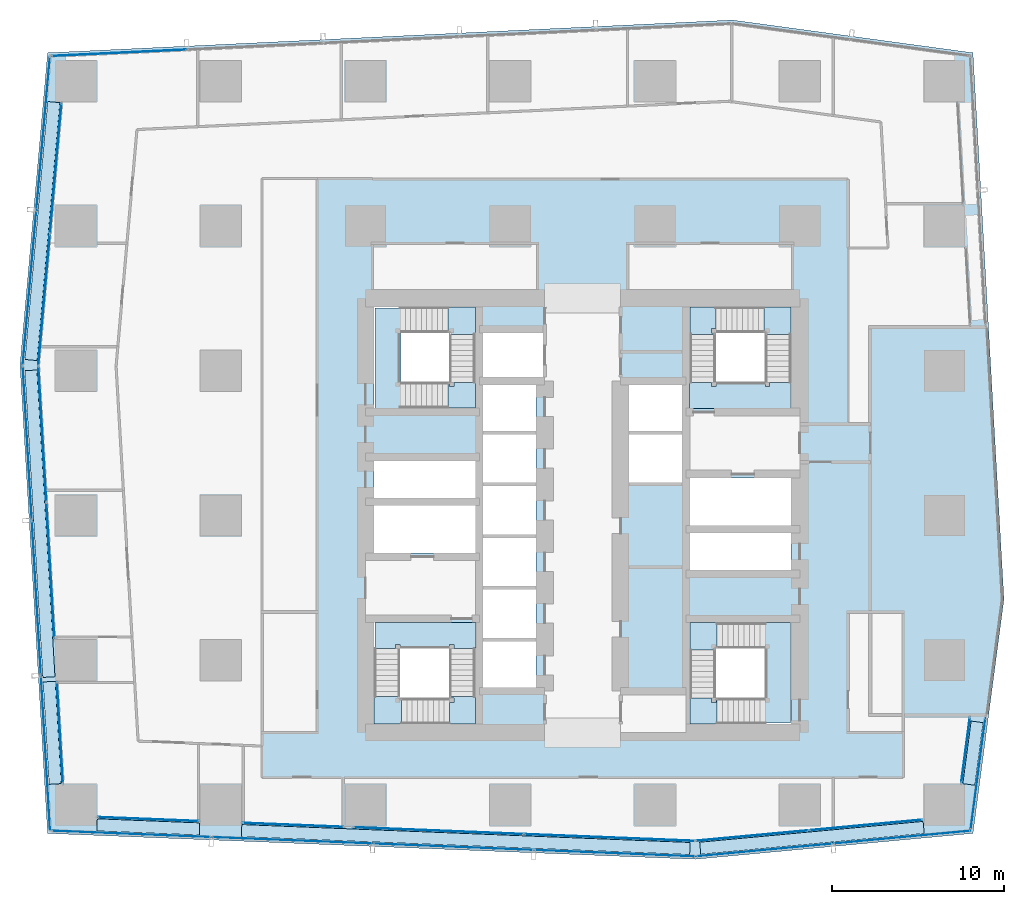
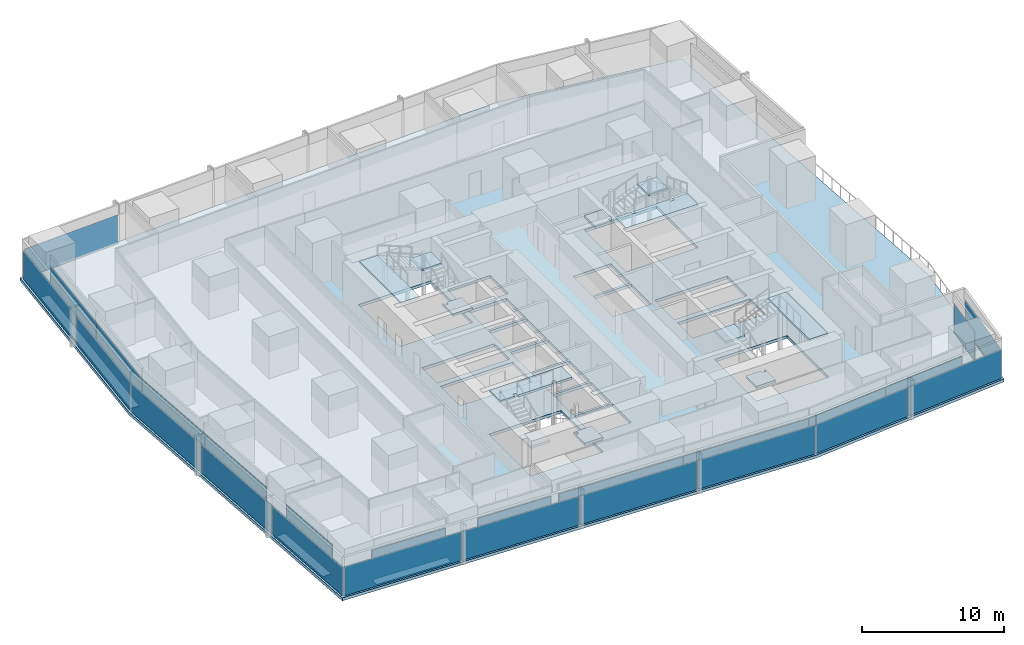
# One storey, part 21 of 34: 32 plates, 13 slabs, 18 elements without a shape of their own.
"""IFC4 building model written with IfcOpenShell, lengths in metres."""

from ifc_helpers import new_model, si_unit, direction, frame, origin, origin_2d, place, context, subcontext, project, spatial, polyline, rectangle, outline, extrude, material, layer, layer_set, type_object, element, aggregate, save


model = new_model("IFC4")

# Units and contexts
model_context = context("Model", 3, precision=1e-05, world=origin(), true_north=direction((0.0, 1.0)))
body_context = subcontext(model_context, "Body", "Model", "MODEL_VIEW")
ifc_project = project(units=[si_unit("LENGTHUNIT", "METRE"), si_unit("AREAUNIT", "SQUARE_METRE"), si_unit("VOLUMEUNIT", "CUBIC_METRE"), si_unit("PLANEANGLEUNIT", "RADIAN"), si_unit("MASSUNIT", "GRAM", prefix="KILO")], contexts=[model_context])

# Site, building, storey
site_placement = place(None, origin())
site = spatial("IfcSite", under=ifc_project, at=site_placement, CompositionType="ELEMENT")
building_placement = place(site_placement, origin())
building = spatial("IfcBuilding", under=site, at=building_placement, Name="Rekha Terrace Tower", CompositionType="ELEMENT")
storey_placement = place(building_placement, frame((0.0, 0.0, 236.449951171875)))
storey = spatial("IfcBuildingStorey", under=building, at=storey_placement, Name="L60", CompositionType="ELEMENT", Elevation=236.449951171875)

# Curtain wall, plate
ifc_material_1 = material(Name="Aluminium framing", Category="aluminium")
curtain_wall_type_1 = type_object("IfcCurtainWallType", Name="CW1 double skin inner glazing", PredefinedType="USERDEFINED", material=ifc_material_1)
curtain_wall_1_placement = place(storey_placement, origin())
curtain_wall_1 = element("IfcCurtainWall", 1, at=curtain_wall_1_placement, inside=storey, type_object=curtain_wall_type_1, Name="CW1 double skin inner glazing", ObjectType="DOUBLE SKIN INNER GLAZING", PredefinedType="USERDEFINED")
ifc_material_2 = material(Name="Double-glazed low-e unit 32", Category="glass")
ifc_layer_1 = layer(ifc_material_2, 0.031982421875)
ifc_layer_set_1 = layer_set([ifc_layer_1], Name="Double-glazed low-e unit 32")
plate_type_1 = type_object("IfcPlateType", Name="CW1 jumbo vision panel, double-glazed low-e unit 32", PredefinedType="CURTAIN_PANEL", material=ifc_layer_set_1)
plate_1_placement = place(storey_placement, frame((12.60009765625, 15.977294921875, 0.0), z_axis=(0.0, 0.0, 1.0), x_axis=(0.999204775798, -0.039872497078, 0.0)))
plate_1 = element("IfcPlate", 2, at=plate_1_placement, type_object=plate_type_1, Name="CW1 panel 1.1", PredefinedType="CURTAIN_PANEL", context=body_context, shape_type="SweptSolid", body=[
    extrude(rectangle(XDim=5.8271484375, YDim=0.031982421875, at=origin_2d()), origin(), (0.0, 0.0, 1.0), 2.5),
])
aggregate(curtain_wall_1, [plate_1])

curtain_wall_2_placement = place(storey_placement, origin())
curtain_wall_2 = element("IfcCurtainWall", 3, at=curtain_wall_2_placement, inside=storey, type_object=curtain_wall_type_1, Name="CW1 double skin inner glazing", ObjectType="DOUBLE SKIN INNER GLAZING", PredefinedType="USERDEFINED")
plate_2_placement = place(storey_placement, frame((21.0, 15.64208984375, 0.0), z_axis=(0.0, 0.0, 1.0), x_axis=(0.999204775798, -0.039872497078, 0.0)))
plate_2 = element("IfcPlate", 4, at=plate_2_placement, type_object=plate_type_1, Name="CW1 panel 1.1", PredefinedType="CURTAIN_PANEL", context=body_context, shape_type="SweptSolid", body=[
    extrude(rectangle(XDim=5.8271484375, YDim=0.031982421875, at=origin_2d()), origin(), (0.0, 0.0, 1.0), 2.5),
])
aggregate(curtain_wall_2, [plate_2])

# Curtain wall, plates
curtain_wall_3_placement = place(storey_placement, origin())
curtain_wall_3 = element("IfcCurtainWall", 5, at=curtain_wall_3_placement, inside=storey, type_object=curtain_wall_type_1, Name="CW1 double skin inner glazing", ObjectType="DOUBLE SKIN INNER GLAZING", PredefinedType="USERDEFINED")
plate_3_placement = place(storey_placement, frame((29.4365234375, 15.3056640625, 0.0), z_axis=(0.0, 0.0, 1.0), x_axis=(0.999204775799, -0.039872497044, 0.0)))
plate_3 = element("IfcPlate", 6, at=plate_3_placement, type_object=plate_type_1, Name="CW1 panel 1.1", PredefinedType="CURTAIN_PANEL", context=body_context, shape_type="SweptSolid", body=[
    extrude(rectangle(XDim=9.838134765625, YDim=0.031982421875, at=origin_2d()), origin(), (0.0, 0.0, 1.0), 2.5),
])
plate_4_placement = place(storey_placement, frame((39.3642578125, 14.909423828125, 0.0), z_axis=(0.0, 0.0, 1.0), x_axis=(0.999204775799, -0.039872497044, 0.0)))
plate_4 = element("IfcPlate", 7, at=plate_4_placement, type_object=plate_type_1, Name="CW1 panel 2.1", PredefinedType="CURTAIN_PANEL", context=body_context, shape_type="SweptSolid", body=[
    extrude(rectangle(XDim=9.903076171875, YDim=0.031982421875, at=origin_2d()), origin(), (0.0, 0.0, 1.0), 2.5),
])
aggregate(curtain_wall_3, [plate_3, plate_4])

curtain_wall_4_placement = place(storey_placement, origin())
curtain_wall_4 = element("IfcCurtainWall", 8, at=curtain_wall_4_placement, inside=storey, type_object=curtain_wall_type_1, Name="CW1 double skin inner glazing", ObjectType="DOUBLE SKIN INNER GLAZING", PredefinedType="USERDEFINED")
plate_5_placement = place(storey_placement, frame((47.642822265625, 15.022216796875, 0.0), z_axis=(0.0, 0.0, 1.0), x_axis=(0.995693258744, 0.092708869546, 0.0)))
plate_5 = element("IfcPlate", 9, at=plate_5_placement, type_object=plate_type_1, Name="CW1 panel 1.1", PredefinedType="CURTAIN_PANEL", context=body_context, shape_type="SweptSolid", body=[
    extrude(rectangle(XDim=6.560791015625, YDim=0.031982421875, at=origin_2d()), origin(), (0.0, 0.0, 1.0), 2.5),
])
plate_6_placement = place(storey_placement, frame((54.240234375, 15.636474609375, 0.0), z_axis=(0.0, 0.0, 1.0), x_axis=(0.995693258744, 0.092708869546, 0.0)))
plate_6 = element("IfcPlate", 10, at=plate_6_placement, type_object=plate_type_1, Name="CW1 panel 2.1", PredefinedType="CURTAIN_PANEL", context=body_context, shape_type="SweptSolid", body=[
    extrude(rectangle(XDim=6.560791015625, YDim=0.031982421875, at=origin_2d()), origin(), (0.0, 0.0, 1.0), 2.5),
])
aggregate(curtain_wall_4, [plate_5, plate_6])

# Curtain wall, plate
curtain_wall_5_placement = place(storey_placement, origin())
curtain_wall_5 = element("IfcCurtainWall", 11, at=curtain_wall_5_placement, inside=storey, type_object=curtain_wall_type_1, Name="CW1 double skin inner glazing", ObjectType="DOUBLE SKIN INNER GLAZING", PredefinedType="USERDEFINED")
plate_7_placement = place(storey_placement, frame((60.02001953125, 19.97705078125, 0.0), z_axis=(0.0, 0.0, 1.0), x_axis=(0.131303603041, 0.991342203191, 0.0)))
plate_7 = element("IfcPlate", 12, at=plate_7_placement, type_object=plate_type_1, Name="CW1 panel 1.1", PredefinedType="CURTAIN_PANEL", context=body_context, shape_type="SweptSolid", body=[
    extrude(rectangle(XDim=3.793701171875, YDim=0.031982421875, at=origin_2d()), origin(), (0.0, 0.0, 1.0), 2.5),
])
aggregate(curtain_wall_5, [plate_7])

# Curtain wall, plates
curtain_wall_6_placement = place(storey_placement, origin())
curtain_wall_6 = element("IfcCurtainWall", 13, at=curtain_wall_6_placement, inside=storey, type_object=curtain_wall_type_1, Name="CW1 double skin inner glazing", ObjectType="DOUBLE SKIN INNER GLAZING", PredefinedType="USERDEFINED")
plate_8_placement = place(storey_placement, frame((7.2216796875, 53.7412109375, 0.0), z_axis=(0.0, 0.0, 1.0), x_axis=(-0.087957985471, -0.996124185427, 0.0)))
plate_8 = element("IfcPlate", 14, at=plate_8_placement, type_object=plate_type_1, Name="CW1 panel 1.1", PredefinedType="CURTAIN_PANEL", context=body_context, shape_type="SweptSolid", body=[
    extrude(rectangle(XDim=7.560791015625, YDim=0.031982421875, at=origin_2d()), origin(), (0.0, 0.0, 1.0), 2.5),
])
plate_9_placement = place(storey_placement, frame((6.548095703125, 46.112548828125, 0.0), z_axis=(0.0, 0.0, 1.0), x_axis=(-0.087957985471, -0.996124185427, 0.0)))
plate_9 = element("IfcPlate", 15, at=plate_9_placement, type_object=plate_type_1, Name="CW1 panel 2.1", PredefinedType="CURTAIN_PANEL", context=body_context, shape_type="SweptSolid", body=[
    extrude(rectangle(XDim=7.625732421875, YDim=0.031982421875, at=origin_2d()), origin(), (0.0, 0.0, 1.0), 2.5),
])
aggregate(curtain_wall_6, [plate_8, plate_9])

curtain_wall_7_placement = place(storey_placement, origin())
curtain_wall_7 = element("IfcCurtainWall", 16, at=curtain_wall_7_placement, inside=storey, type_object=curtain_wall_type_1, Name="CW1 double skin inner glazing", ObjectType="DOUBLE SKIN INNER GLAZING", PredefinedType="USERDEFINED")
plate_10_placement = place(storey_placement, frame((6.44775390625, 38.323974609375, 0.0), z_axis=(0.0, 0.0, 1.0), x_axis=(0.058765082551, -0.998271839267, 0.0)))
plate_10 = element("IfcPlate", 17, at=plate_10_placement, type_object=plate_type_1, Name="CW1 panel 1.1", PredefinedType="CURTAIN_PANEL", context=body_context, shape_type="SweptSolid", body=[
    extrude(rectangle(XDim=7.864990234375, YDim=0.031982421875, at=origin_2d()), origin(), (0.0, 0.0, 1.0), 2.5),
])
plate_11_placement = place(storey_placement, frame((6.91357421875, 30.407470703125, 0.0), z_axis=(0.0, 0.0, 1.0), x_axis=(0.058765082551, -0.998271839267, 0.0)))
plate_11 = element("IfcPlate", 18, at=plate_11_placement, type_object=plate_type_1, Name="CW1 panel 2.1", PredefinedType="CURTAIN_PANEL", context=body_context, shape_type="SweptSolid", body=[
    extrude(rectangle(XDim=7.864990234375, YDim=0.031982421875, at=origin_2d()), origin(), (0.0, 0.0, 1.0), 2.5),
])
aggregate(curtain_wall_7, [plate_10, plate_11])

# Curtain wall, plate
curtain_wall_8_placement = place(storey_placement, origin())
curtain_wall_8 = element("IfcCurtainWall", 19, at=curtain_wall_8_placement, inside=storey, type_object=curtain_wall_type_1, Name="CW1 double skin inner glazing", ObjectType="DOUBLE SKIN INNER GLAZING", PredefinedType="USERDEFINED")
plate_12_placement = place(storey_placement, frame((7.467529296875, 21.0, 0.0), z_axis=(0.0, 0.0, 1.0), x_axis=(0.058765082499, -0.99827183927, 0.0)))
plate_12 = element("IfcPlate", 20, at=plate_12_placement, type_object=plate_type_1, Name="CW1 panel 1.1", PredefinedType="CURTAIN_PANEL", context=body_context, shape_type="SweptSolid", body=[
    extrude(rectangle(XDim=5.8291015625, YDim=0.031982421875, at=origin_2d()), origin(), (0.0, 0.0, 1.0), 2.5),
])
aggregate(curtain_wall_8, [plate_12])

# Curtain wall, plates
curtain_wall_type_2 = type_object("IfcCurtainWallType", Name="CW2 double skin outer glazing", PredefinedType="USERDEFINED", material=ifc_material_1)
curtain_wall_9_placement = place(storey_placement, origin())
curtain_wall_9 = element("IfcCurtainWall", 21, at=curtain_wall_9_placement, inside=storey, type_object=curtain_wall_type_2, Name="CW2 double skin outer glazing", ObjectType="DOUBLE SKIN OUTER GLAZING", PredefinedType="USERDEFINED")
ifc_material_3 = material(Name="Toughened single glazing 12", Category="glass")
ifc_layer_2 = layer(ifc_material_3, 0.011962890625)
ifc_layer_set_2 = layer_set([ifc_layer_2], Name="Toughened single glazing 12")
plate_type_2 = type_object("IfcPlateType", Name="CW2 jumbo vision panel, toughened single glazing 12", PredefinedType="CURTAIN_PANEL", material=ifc_layer_set_2)
plate_13_placement = place(storey_placement, frame((11.6005859375, 15.116455078125, 0.0), z_axis=(0.0, 0.0, 1.0), x_axis=(0.999204775799, -0.039872497044, 0.0)))
plate_13 = element("IfcPlate", 22, at=plate_13_placement, type_object=plate_type_2, Name="CW2 panel 1.1", PredefinedType="CURTAIN_PANEL", context=body_context, shape_type="SweptSolid", body=[
    extrude(rectangle(XDim=9.24609375, YDim=0.011962890625, at=origin_2d()), origin(), (0.0, 0.0, 1.0), 2.5),
])
plate_14_placement = place(storey_placement, frame((20.939208984375, 14.743896484375, 0.0), z_axis=(0.0, 0.0, 1.0), x_axis=(0.999204775799, -0.039872497044, 0.0)))
plate_14 = element("IfcPlate", 23, at=plate_14_placement, type_object=plate_type_2, Name="CW2 panel 2.1", PredefinedType="CURTAIN_PANEL", context=body_context, shape_type="SweptSolid", body=[
    extrude(rectangle(XDim=9.2861328125, YDim=0.011962890625, at=origin_2d()), origin(), (0.0, 0.0, 1.0), 2.5),
])
plate_15_placement = place(storey_placement, frame((30.2978515625, 14.370361328125, 0.0), z_axis=(0.0, 0.0, 1.0), x_axis=(0.999204775799, -0.039872497044, 0.0)))
plate_15 = element("IfcPlate", 24, at=plate_15_placement, type_object=plate_type_2, Name="CW2 panel 3.1", PredefinedType="CURTAIN_PANEL", context=body_context, shape_type="SweptSolid", body=[
    extrude(rectangle(XDim=9.2861328125, YDim=0.011962890625, at=origin_2d()), origin(), (0.0, 0.0, 1.0), 2.5),
])
plate_16_placement = place(storey_placement, frame((39.676513671875, 13.996337890625, 0.0), z_axis=(0.0, 0.0, 1.0), x_axis=(0.999204775799, -0.039872497044, 0.0)))
plate_16 = element("IfcPlate", 25, at=plate_16_placement, type_object=plate_type_2, Name="CW2 panel 4.1", PredefinedType="CURTAIN_PANEL", context=body_context, shape_type="SweptSolid", body=[
    extrude(rectangle(XDim=9.326171875, YDim=0.011962890625, at=origin_2d()), origin(), (0.0, 0.0, 1.0), 2.5),
])
aggregate(curtain_wall_9, [plate_13, plate_14, plate_15, plate_16])

curtain_wall_10_placement = place(storey_placement, origin())
curtain_wall_10 = element("IfcCurtainWall", 26, at=curtain_wall_10_placement, inside=storey, type_object=curtain_wall_type_2, Name="CW2 double skin outer glazing", ObjectType="DOUBLE SKIN OUTER GLAZING", PredefinedType="USERDEFINED")
plate_17_placement = place(storey_placement, frame((48.348876953125, 14.183837890625, 0.0), z_axis=(0.0, 0.0, 1.0), x_axis=(0.995693258747, 0.092708869512, 0.0)))
plate_17 = element("IfcPlate", 27, at=plate_17_placement, type_object=plate_type_2, Name="CW2 panel 1.1", PredefinedType="CURTAIN_PANEL", context=body_context, shape_type="SweptSolid", body=[
    extrude(rectangle(XDim=7.900634765625, YDim=0.011962890625, at=origin_2d()), origin(), (0.0, 0.0, 1.0), 2.5),
])
plate_18_placement = place(storey_placement, frame((56.3349609375, 14.927490234375, 0.0), z_axis=(0.0, 0.0, 1.0), x_axis=(0.995693258747, 0.092708869512, 0.0)))
plate_18 = element("IfcPlate", 28, at=plate_18_placement, type_object=plate_type_2, Name="CW2 panel 2.1", PredefinedType="CURTAIN_PANEL", context=body_context, shape_type="SweptSolid", body=[
    extrude(rectangle(XDim=7.980712890625, YDim=0.011962890625, at=origin_2d()), origin(), (0.0, 0.0, 1.0), 2.5),
])
aggregate(curtain_wall_10, [plate_17, plate_18])

# Curtain wall, plate
curtain_wall_11_placement = place(storey_placement, origin())
curtain_wall_11 = element("IfcCurtainWall", 29, at=curtain_wall_11_placement, inside=storey, type_object=curtain_wall_type_2, Name="CW2 double skin outer glazing", ObjectType="DOUBLE SKIN OUTER GLAZING", PredefinedType="USERDEFINED")
plate_19_placement = place(storey_placement, frame((60.746826171875, 18.60986328125, 0.0), z_axis=(0.0, 0.0, 1.0), x_axis=(0.13130360311, 0.991342203182, 0.0)))
plate_19 = element("IfcPlate", 30, at=plate_19_placement, type_object=plate_type_2, Name="CW2 panel 1.1", PredefinedType="CURTAIN_PANEL", context=body_context, shape_type="SweptSolid", body=[
    extrude(rectangle(XDim=6.5224609375, YDim=0.011962890625, at=origin_2d()), origin(), (0.0, 0.0, 1.0), 2.5),
])
aggregate(curtain_wall_11, [plate_19])

# Curtain wall, plates
curtain_wall_12_placement = place(storey_placement, origin())
curtain_wall_12 = element("IfcCurtainWall", 31, at=curtain_wall_12_placement, inside=storey, type_object=curtain_wall_type_2, Name="CW2 double skin outer glazing", ObjectType="DOUBLE SKIN OUTER GLAZING", PredefinedType="USERDEFINED")
plate_20_placement = place(storey_placement, frame((6.498779296875, 55.78466796875, 0.0), z_axis=(0.0, 0.0, 1.0), x_axis=(-0.087957985453, -0.996124185428, 0.0)))
plate_20 = element("IfcPlate", 32, at=plate_20_placement, type_object=plate_type_2, Name="CW2 panel 1.1", PredefinedType="CURTAIN_PANEL", context=body_context, shape_type="SweptSolid", body=[
    extrude(rectangle(XDim=8.899658203125, YDim=0.011962890625, at=origin_2d()), origin(), (0.0, 0.0, 1.0), 2.5),
])
plate_21_placement = place(storey_placement, frame((5.705322265625, 46.800048828125, 0.0), z_axis=(0.0, 0.0, 1.0), x_axis=(-0.087957985453, -0.996124185428, 0.0)))
plate_21 = element("IfcPlate", 33, at=plate_21_placement, type_object=plate_type_2, Name="CW2 panel 2.1", PredefinedType="CURTAIN_PANEL", context=body_context, shape_type="SweptSolid", body=[
    extrude(rectangle(XDim=8.9794921875, YDim=0.011962890625, at=origin_2d()), origin(), (0.0, 0.0, 1.0), 2.5),
])
aggregate(curtain_wall_12, [plate_20, plate_21])

curtain_wall_13_placement = place(storey_placement, origin())
curtain_wall_13 = element("IfcCurtainWall", 34, at=curtain_wall_13_placement, inside=storey, type_object=curtain_wall_type_2, Name="CW2 double skin outer glazing", ObjectType="DOUBLE SKIN OUTER GLAZING", PredefinedType="USERDEFINED")
plate_22_placement = place(storey_placement, frame((5.57666015625, 37.8037109375, 0.0), z_axis=(0.0, 0.0, 1.0), x_axis=(0.058765082499, -0.99827183927, 0.0)))
plate_22 = element("IfcPlate", 35, at=plate_22_placement, type_object=plate_type_2, Name="CW2 panel 1.1", PredefinedType="CURTAIN_PANEL", context=body_context, shape_type="SweptSolid", body=[
    extrude(rectangle(XDim=8.903564453125, YDim=0.011962890625, at=origin_2d()), origin(), (0.0, 0.0, 1.0), 2.5),
])
plate_23_placement = place(storey_placement, frame((6.105712890625, 28.81591796875, 0.0), z_axis=(0.0, 0.0, 1.0), x_axis=(0.058765082499, -0.99827183927, 0.0)))
plate_23 = element("IfcPlate", 36, at=plate_23_placement, type_object=plate_type_2, Name="CW2 panel 2.1", PredefinedType="CURTAIN_PANEL", context=body_context, shape_type="SweptSolid", body=[
    extrude(rectangle(XDim=8.943359375, YDim=0.011962890625, at=origin_2d()), origin(), (0.0, 0.0, 1.0), 2.5),
])
plate_24_placement = place(storey_placement, frame((6.63720703125, 19.7880859375, 0.0), z_axis=(0.0, 0.0, 1.0), x_axis=(0.058765082499, -0.99827183927, 0.0)))
plate_24 = element("IfcPlate", 37, at=plate_24_placement, type_object=plate_type_2, Name="CW2 panel 3.1", PredefinedType="CURTAIN_PANEL", context=body_context, shape_type="SweptSolid", body=[
    extrude(rectangle(XDim=8.9833984375, YDim=0.011962890625, at=origin_2d()), origin(), (0.0, 0.0, 1.0), 2.5),
])
aggregate(curtain_wall_13, [plate_22, plate_23, plate_24])

# Curtain wall, plate
curtain_wall_type_3 = type_object("IfcCurtainWallType", Name="CW3 north unitised glazing", PredefinedType="USERDEFINED", material=ifc_material_1)
curtain_wall_14_placement = place(storey_placement, origin())
curtain_wall_14 = element("IfcCurtainWall", 38, at=curtain_wall_14_placement, inside=storey, type_object=curtain_wall_type_3, Name="CW3 unitised curtain wall", ObjectType="UNITISED CURTAIN WALL", PredefinedType="USERDEFINED")
ifc_material_4 = material(Name="Double-glazed unit 28", Category="glass")
ifc_layer_3 = layer(ifc_material_4, 0.028076171875)
ifc_layer_set_3 = layer_set([ifc_layer_3], Name="Double-glazed unit 28")
plate_type_3 = type_object("IfcPlateType", Name="CW3 jumbo vision panel, double-glazed unit 28", PredefinedType="CURTAIN_PANEL", material=ifc_layer_set_3)
plate_25_placement = place(storey_placement, frame((10.906005859375, 60.448486328125, 0.0), z_axis=(0.0, 0.0, 1.0), x_axis=(-0.998858906204, -0.047758616983, 0.0)))
plate_25 = element("IfcPlate", 39, at=plate_25_placement, type_object=plate_type_3, Name="CW3 panel 5.1", PredefinedType="CURTAIN_PANEL", context=body_context, shape_type="SweptSolid", body=[
    extrude(rectangle(XDim=7.81298828125, YDim=0.028076171875, at=origin_2d()), origin(), (0.0, 0.0, 1.0), 2.5),
])
aggregate(curtain_wall_14, [plate_25])

# Plates
ifc_material_5 = material(Name="Galvanised steel open grating", Category="steel")
ifc_layer_4 = layer(ifc_material_5, 0.050048828125)
ifc_layer_set_4 = layer_set([ifc_layer_4], Name="Galvanised steel open grating")
plate_type_4 = type_object("IfcPlateType", Name="GT1 cavity walkway grating 50", PredefinedType="USERDEFINED", material=ifc_layer_set_4)
plate_26_placement = place(storey_placement, frame((12.593505859375, 15.52734375, 0.0), z_axis=(0.0, 0.0, 1.0), x_axis=(0.999204775799, -0.039872497044, 0.0)))
element("IfcPlate", 40, at=plate_26_placement, inside=storey, type_object=plate_type_4, Name="Cavity walkway grating", ObjectType="CAVITY WALKWAY GRATING", PredefinedType="USERDEFINED", context=body_context, shape_type="SweptSolid", body=[
    extrude(rectangle(XDim=5.947998046875, YDim=0.705078125, at=origin_2d()), origin(), (0.0, 0.0, 1.0), 0.050048828125),
])
plate_27_placement = place(storey_placement, frame((31.016357421875, 14.792236328125, 0.0), z_axis=(0.0, 0.0, 1.0), x_axis=(0.999204775799, -0.039872497044, 0.0)))
element("IfcPlate", 41, at=plate_27_placement, inside=storey, type_object=plate_type_4, Name="Cavity walkway grating", ObjectType="CAVITY WALKWAY GRATING", PredefinedType="USERDEFINED", context=body_context, shape_type="SweptSolid", body=[
    extrude(rectangle(XDim=26.036376953125, YDim=0.705078125, at=origin_2d()), origin(), (0.0, 0.0, 1.0), 0.050048828125),
])
plate_28_placement = place(storey_placement, frame((51.10595703125, 14.892578125, 0.0), z_axis=(0.0, 0.0, 1.0), x_axis=(0.995693258745, 0.092708869529, 0.0)))
element("IfcPlate", 42, at=plate_28_placement, inside=storey, type_object=plate_type_4, Name="Cavity walkway grating", ObjectType="CAVITY WALKWAY GRATING", PredefinedType="USERDEFINED", context=body_context, shape_type="SweptSolid", body=[
    extrude(rectangle(XDim=13.023193359375, YDim=0.705078125, at=origin_2d()), origin(), (0.0, 0.0, 1.0), 0.050048828125),
])
plate_29_placement = place(storey_placement, frame((60.45166015625, 19.808349609375, 0.0), z_axis=(0.0, 0.0, 1.0), x_axis=(0.131303603075, 0.991342203187, 0.0)))
element("IfcPlate", 43, at=plate_29_placement, inside=storey, type_object=plate_type_4, Name="Cavity walkway grating", ObjectType="CAVITY WALKWAY GRATING", PredefinedType="USERDEFINED", context=body_context, shape_type="SweptSolid", body=[
    extrude(rectangle(XDim=3.6640625, YDim=0.705078125, at=origin_2d()), origin(), (0.0, 0.0, 1.0), 0.050048828125),
])
plate_30_placement = place(storey_placement, frame((6.44873046875, 50.10400390625, 0.0), z_axis=(0.0, 0.0, 1.0), x_axis=(-0.087957985471, -0.996124185427, 0.0)))
element("IfcPlate", 44, at=plate_30_placement, inside=storey, type_object=plate_type_4, Name="Cavity walkway grating", ObjectType="CAVITY WALKWAY GRATING", PredefinedType="USERDEFINED", context=body_context, shape_type="SweptSolid", body=[
    extrude(rectangle(XDim=15.0263671875, YDim=0.705078125, at=origin_2d()), origin(), (0.0, 0.0, 1.0), 0.050048828125),
])
plate_31_placement = place(storey_placement, frame((6.302978515625, 33.1220703125, 0.0), z_axis=(0.0, 0.0, 1.0), x_axis=(0.058765082516, -0.998271839269, 0.0)))
element("IfcPlate", 45, at=plate_31_placement, inside=storey, type_object=plate_type_4, Name="Cavity walkway grating", ObjectType="CAVITY WALKWAY GRATING", PredefinedType="USERDEFINED", context=body_context, shape_type="SweptSolid", body=[
    extrude(rectangle(XDim=17.82958984375, YDim=0.705078125, at=origin_2d()), origin(), (0.0, 0.0, 1.0), 0.050048828125),
])
plate_32_placement = place(storey_placement, frame((7.017333984375, 20.98876953125, 0.0), z_axis=(0.0, 0.0, 1.0), x_axis=(0.058765082516, -0.998271839269, 0.0)))
element("IfcPlate", 46, at=plate_32_placement, inside=storey, type_object=plate_type_4, Name="Cavity walkway grating", ObjectType="CAVITY WALKWAY GRATING", PredefinedType="USERDEFINED", context=body_context, shape_type="SweptSolid", body=[
    extrude(rectangle(XDim=5.948974609375, YDim=0.705078125, at=origin_2d()), origin(), (0.0, 0.0, 1.0), 0.050048828125),
])

# Stair, slabs
ifc_material_6 = material(Name="Concrete M40", Category="concrete")
stair_type = type_object("IfcStairType", Name="ST30 stair, 30 risers of 125, going 310, 1500 wide flights, 3 flights", PredefinedType="HALF_TURN_STAIR", material=ifc_material_6)
stair_1_placement = place(storey_placement, origin())
stair_1 = element("IfcStair", 47, at=stair_1_placement, inside=storey, type_object=stair_type, Name="Stair ST1 L60 to L61", PredefinedType="HALF_TURN_STAIR")
ifc_layer_5 = layer(ifc_material_6, 0.199951171875)
ifc_layer_set_5 = layer_set([ifc_layer_5], Name="Concrete M40")
slab_type_1 = type_object("IfcSlabType", Name="LD1 200 concrete stair landing", PredefinedType="LANDING", material=ifc_layer_set_5)
slab_1_placement = place(storey_placement, frame((0.0, 0.0, 1.050048828125)))
slab_1 = element("IfcSlab", 48, at=slab_1_placement, type_object=slab_type_1, Name="ST1 landing 1", PredefinedType="LANDING", context=body_context, shape_type="SweptSolid", body=[
    extrude(outline(polyline([(30.074951171875, 21.5), (31.574951171875, 21.5), (31.574951171875, 23.0849609375), (30.074951171875, 23.0849609375), (30.074951171875, 23.0), (30.324951171875, 23.0), (30.324951171875, 22.75), (30.074951171875, 22.75), (30.074951171875, 21.5)])), origin(), (0.0, 0.0, 1.0), 0.199951171875),
])
slab_2_placement = place(storey_placement, frame((0.0, 0.0, 2.300048828125)))
slab_2 = element("IfcSlab", 49, at=slab_2_placement, type_object=slab_type_1, Name="ST1 landing 2", PredefinedType="LANDING", context=body_context, shape_type="SweptSolid", body=[
    extrude(outline(polyline([(27.199951171875, 23.0849609375), (25.699951171875, 23.0849609375), (25.699951171875, 21.5), (27.284912109375, 21.5), (27.284912109375, 23.0), (27.199951171875, 23.0), (27.199951171875, 23.0849609375)])), origin(), (0.0, 0.0, 1.0), 0.199951171875),
])
slab_3_placement = place(storey_placement, frame((0.0, 0.0, 3.550048828125)))
slab_3 = element("IfcSlab", 50, at=slab_3_placement, type_object=slab_type_1, Name="ST1 landing 3", PredefinedType="LANDING", context=body_context, shape_type="SweptSolid", body=[
    extrude(outline(polyline([(30.324951171875, 25.875), (31.574951171875, 25.875), (31.574951171875, 25.89990234375), (31.60009765625, 25.89990234375), (31.60009765625, 27.39990234375), (25.75, 27.39990234375), (25.75, 27.375), (25.75, 25.875), (26.949951171875, 25.875), (26.949951171875, 25.89990234375), (26.949951171875, 26.125), (27.199951171875, 26.125), (27.199951171875, 25.89990234375), (27.199951171875, 25.875), (30.074951171875, 25.875), (30.074951171875, 25.89990234375), (30.074951171875, 26.125), (30.324951171875, 26.125), (30.324951171875, 25.89990234375), (30.324951171875, 25.875)])), origin(), (0.0, 0.0, 1.0), 0.199951171875),
])
aggregate(stair_1, [slab_1, slab_2, slab_3])

stair_2_placement = place(storey_placement, origin())
stair_2 = element("IfcStair", 51, at=stair_2_placement, inside=storey, type_object=stair_type, Name="Stair ST2 L60 to L61", PredefinedType="HALF_TURN_STAIR")
slab_4_placement = place(storey_placement, frame((0.0, 0.0, 1.050048828125)))
slab_4 = element("IfcSlab", 52, at=slab_4_placement, type_object=slab_type_1, Name="ST2 landing 1", PredefinedType="LANDING", context=body_context, shape_type="SweptSolid", body=[
    extrude(outline(polyline([(45.52490234375, 45.699951171875), (44.02490234375, 45.699951171875), (44.02490234375, 44.114990234375), (45.52490234375, 44.114990234375), (45.52490234375, 44.199951171875), (45.27490234375, 44.199951171875), (45.27490234375, 44.449951171875), (45.52490234375, 44.449951171875), (45.52490234375, 45.699951171875)])), origin(), (0.0, 0.0, 1.0), 0.199951171875),
])
slab_5_placement = place(storey_placement, frame((0.0, 0.0, 2.300048828125)))
slab_5 = element("IfcSlab", 53, at=slab_5_placement, type_object=slab_type_1, Name="ST2 landing 2", PredefinedType="LANDING", context=body_context, shape_type="SweptSolid", body=[
    extrude(outline(polyline([(48.39990234375, 44.114990234375), (49.89990234375, 44.114990234375), (49.89990234375, 45.699951171875), (48.31494140625, 45.699951171875), (48.31494140625, 44.199951171875), (48.39990234375, 44.199951171875), (48.39990234375, 44.114990234375)])), origin(), (0.0, 0.0, 1.0), 0.199951171875),
])
slab_6_placement = place(storey_placement, frame((0.0, 0.0, 3.550048828125)))
slab_6 = element("IfcSlab", 54, at=slab_6_placement, type_object=slab_type_1, Name="ST2 landing 3", PredefinedType="LANDING", context=body_context, shape_type="SweptSolid", body=[
    extrude(outline(polyline([(45.52490234375, 41.324951171875), (45.52490234375, 41.300048828125), (45.52490234375, 41.074951171875), (45.27490234375, 41.074951171875), (45.27490234375, 41.300048828125), (45.27490234375, 41.324951171875), (44.02490234375, 41.324951171875), (44.02490234375, 41.300048828125), (44.0, 41.300048828125), (44.0, 39.800048828125), (49.85009765625, 39.800048828125), (49.85009765625, 39.824951171875), (49.85009765625, 41.324951171875), (48.64990234375, 41.324951171875), (48.64990234375, 41.300048828125), (48.64990234375, 41.074951171875), (48.39990234375, 41.074951171875), (48.39990234375, 41.300048828125), (48.39990234375, 41.324951171875), (45.52490234375, 41.324951171875)])), origin(), (0.0, 0.0, 1.0), 0.199951171875),
])
aggregate(stair_2, [slab_4, slab_5, slab_6])

stair_3_placement = place(storey_placement, origin())
stair_3 = element("IfcStair", 55, at=stair_3_placement, inside=storey, type_object=stair_type, Name="Stair ST3 L60 to L61", PredefinedType="HALF_TURN_STAIR")
slab_7_placement = place(storey_placement, frame((0.0, 0.0, 1.050048828125)))
slab_7 = element("IfcSlab", 56, at=slab_7_placement, type_object=slab_type_1, Name="ST3 landing 1", PredefinedType="LANDING", context=body_context, shape_type="SweptSolid", body=[
    extrude(outline(polyline([(44.02490234375, 23.0), (44.02490234375, 21.5), (45.610107421875, 21.5), (45.610107421875, 23.0), (45.52490234375, 23.0), (45.52490234375, 22.75), (45.27490234375, 22.75), (45.27490234375, 23.0), (44.02490234375, 23.0)])), origin(), (0.0, 0.0, 1.0), 0.199951171875),
])
slab_8_placement = place(storey_placement, frame((0.0, 0.0, 2.300048828125)))
slab_8 = element("IfcSlab", 57, at=slab_8_placement, type_object=slab_type_1, Name="ST3 landing 2", PredefinedType="LANDING", context=body_context, shape_type="SweptSolid", body=[
    extrude(outline(polyline([(45.610107421875, 25.875), (45.610107421875, 27.375), (44.02490234375, 27.375), (44.02490234375, 25.7900390625), (45.52490234375, 25.7900390625), (45.52490234375, 25.875), (45.610107421875, 25.875)])), origin(), (0.0, 0.0, 1.0), 0.199951171875),
])
slab_9_placement = place(storey_placement, frame((0.0, 0.0, 3.550048828125)))
slab_9 = element("IfcSlab", 58, at=slab_9_placement, type_object=slab_type_1, Name="ST3 landing 3", PredefinedType="LANDING", context=body_context, shape_type="SweptSolid", body=[
    extrude(outline(polyline([(48.35009765625, 21.550048828125), (48.39990234375, 21.550048828125), (49.85009765625, 21.550048828125), (49.85009765625, 27.375), (49.85009765625, 27.39990234375), (48.35009765625, 27.39990234375), (48.35009765625, 21.550048828125)])), origin(), (0.0, 0.0, 1.0), 0.199951171875),
])
aggregate(stair_3, [slab_7, slab_8, slab_9])

stair_4_placement = place(storey_placement, origin())
stair_4 = element("IfcStair", 59, at=stair_4_placement, inside=storey, type_object=stair_type, Name="Stair ST4 L60 to L61", PredefinedType="HALF_TURN_STAIR")
slab_10_placement = place(storey_placement, frame((0.0, 0.0, 1.050048828125)))
slab_10 = element("IfcSlab", 60, at=slab_10_placement, type_object=slab_type_1, Name="ST4 landing 1", PredefinedType="LANDING", context=body_context, shape_type="SweptSolid", body=[
    extrude(outline(polyline([(31.574951171875, 41.324951171875), (31.574951171875, 39.824951171875), (29.989990234375, 39.824951171875), (29.989990234375, 41.324951171875), (30.074951171875, 41.324951171875), (30.074951171875, 41.074951171875), (30.324951171875, 41.074951171875), (30.324951171875, 41.324951171875), (31.574951171875, 41.324951171875)])), origin(), (0.0, 0.0, 1.0), 0.199951171875),
])
slab_11_placement = place(storey_placement, frame((0.0, 0.0, 2.300048828125)))
slab_11 = element("IfcSlab", 61, at=slab_11_placement, type_object=slab_type_1, Name="ST4 landing 2", PredefinedType="LANDING", context=body_context, shape_type="SweptSolid", body=[
    extrude(outline(polyline([(29.989990234375, 44.199951171875), (29.989990234375, 45.699951171875), (31.574951171875, 45.699951171875), (31.574951171875, 44.114990234375), (30.074951171875, 44.114990234375), (30.074951171875, 44.199951171875), (29.989990234375, 44.199951171875)])), origin(), (0.0, 0.0, 1.0), 0.199951171875),
])
slab_12_placement = place(storey_placement, frame((0.0, 0.0, 3.550048828125)))
slab_12 = element("IfcSlab", 62, at=slab_12_placement, type_object=slab_type_1, Name="ST4 landing 3", PredefinedType="LANDING", context=body_context, shape_type="SweptSolid", body=[
    extrude(outline(polyline([(27.199951171875, 45.64990234375), (27.25, 45.64990234375), (27.25, 39.800048828125), (25.75, 39.800048828125), (25.75, 39.824951171875), (25.75, 45.64990234375), (27.199951171875, 45.64990234375), (27.199951171875, 45.64990234375)])), origin(), (0.0, 0.0, 1.0), 0.199951171875),
])
aggregate(stair_4, [slab_10, slab_11, slab_12])

# Slab
ifc_material_7 = material(Name="Concrete M50", Category="concrete")
ifc_layer_6 = layer(ifc_material_7, 0.25)
ifc_layer_set_6 = layer_set([ifc_layer_6], Name="Concrete M50")
slab_type_2 = type_object("IfcSlabType", Name="SL4 250 post-tensioned flat plate", PredefinedType="FLOOR", material=ifc_layer_set_6)
slab_13_placement = place(storey_placement, frame((0.0, 0.0, -0.25)))
element("IfcSlab", 63, at=slab_13_placement, inside=storey, type_object=slab_type_2, Name="Post-tensioned flat plate L60", PredefinedType="FLOOR", context=body_context, shape_type="SweptSolid", body=[
    extrude(outline(polyline([(5.14990234375, 42.330078125), (6.75, 15.14990234375), (44.340087890625, 13.64990234375), (60.449951171875, 15.14990234375), (62.25, 28.739990234375), (60.449951171875, 60.449951171875), (46.488037109375, 62.35009765625), (6.75, 60.449951171875), (5.14990234375, 42.330078125)]), holes=[polyline([(31.574951171875, 27.375), (31.574951171875, 21.5), (25.699951171875, 21.5), (25.699951171875, 27.375), (31.574951171875, 27.375)]), polyline([(35.10009765625, 26.300048828125), (35.10009765625, 23.625), (32.02490234375, 23.625), (32.02490234375, 26.300048828125), (35.10009765625, 26.300048828125)]), polyline([(35.10009765625, 29.300048828125), (35.10009765625, 26.5), (32.02490234375, 26.5), (32.02490234375, 29.300048828125), (35.10009765625, 29.300048828125)]), polyline([(35.10009765625, 32.300048828125), (35.10009765625, 29.5), (32.02490234375, 29.5), (32.02490234375, 32.300048828125), (35.10009765625, 32.300048828125)]), polyline([(31.574951171875, 34.175048828125), (31.574951171875, 31.425048828125), (25.699951171875, 31.425048828125), (25.699951171875, 34.175048828125), (31.574951171875, 34.175048828125)]), polyline([(35.10009765625, 35.300048828125), (35.10009765625, 32.5), (32.02490234375, 32.5), (32.02490234375, 35.300048828125), (35.10009765625, 35.300048828125)]), polyline([(31.574951171875, 36.77490234375), (31.574951171875, 34.625), (25.699951171875, 34.625), (25.699951171875, 36.77490234375), (31.574951171875, 36.77490234375)]), polyline([(35.10009765625, 38.300048828125), (35.10009765625, 35.5), (32.02490234375, 35.5), (32.02490234375, 38.300048828125), (35.10009765625, 38.300048828125)]), polyline([(31.574951171875, 45.699951171875), (31.574951171875, 39.824951171875), (25.699951171875, 39.824951171875), (25.699951171875, 45.699951171875), (31.574951171875, 45.699951171875)]), polyline([(49.89990234375, 27.375), (49.89990234375, 21.5), (44.02490234375, 21.5), (44.02490234375, 27.375), (49.89990234375, 27.375)]), polyline([(49.89990234375, 32.574951171875), (49.89990234375, 30.425048828125), (44.02490234375, 30.425048828125), (44.02490234375, 32.574951171875), (49.89990234375, 32.574951171875)]), polyline([(49.89990234375, 35.77490234375), (49.89990234375, 33.02490234375), (44.02490234375, 33.02490234375), (44.02490234375, 35.77490234375), (49.89990234375, 35.77490234375)]), polyline([(43.574951171875, 38.300048828125), (43.574951171875, 35.5), (40.5, 35.5), (40.5, 38.300048828125), (43.574951171875, 38.300048828125)]), polyline([(35.10009765625, 41.175048828125), (35.10009765625, 38.5), (32.02490234375, 38.5), (32.02490234375, 41.175048828125), (35.10009765625, 41.175048828125)]), polyline([(43.574951171875, 41.175048828125), (43.574951171875, 38.5), (40.5, 38.5), (40.5, 41.175048828125), (43.574951171875, 41.175048828125)]), polyline([(49.89990234375, 39.824951171875), (44.02490234375, 39.824951171875), (44.02490234375, 45.699951171875), (49.89990234375, 45.699951171875), (49.89990234375, 39.824951171875)]), polyline([(35.5, 41.625), (32.02490234375, 41.625), (32.02490234375, 44.175048828125), (35.5, 44.175048828125), (35.5, 41.625)])]), origin(), (0.0, 0.0, 1.0), 0.25),
])

save(model, "model.ifc")
